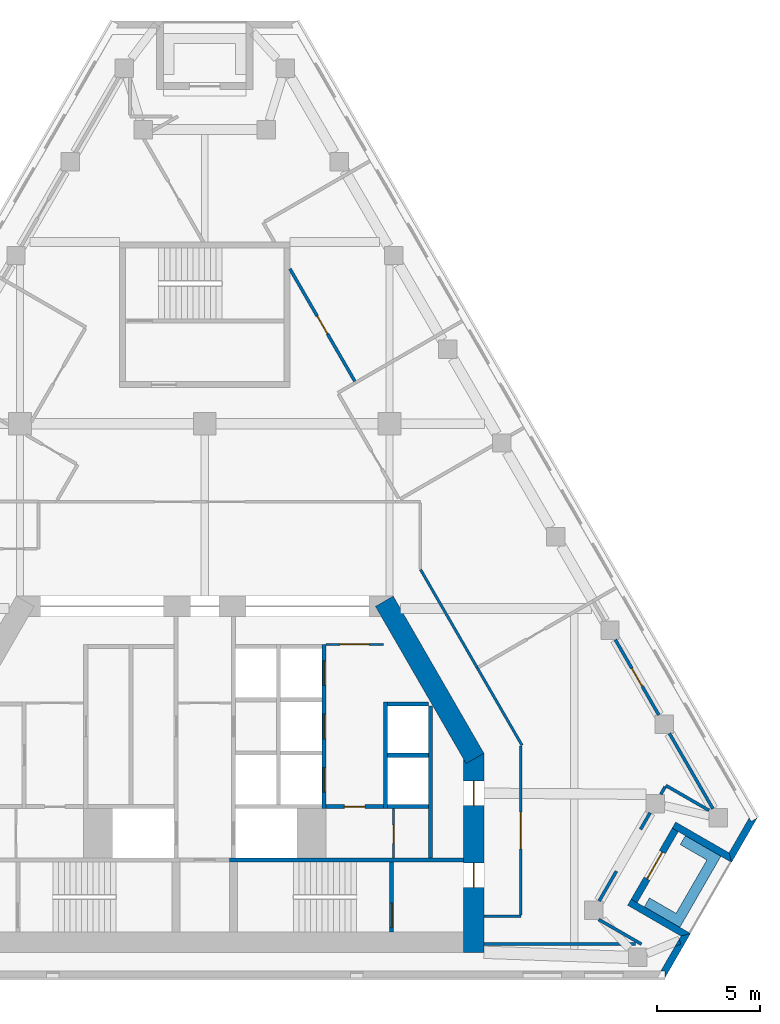
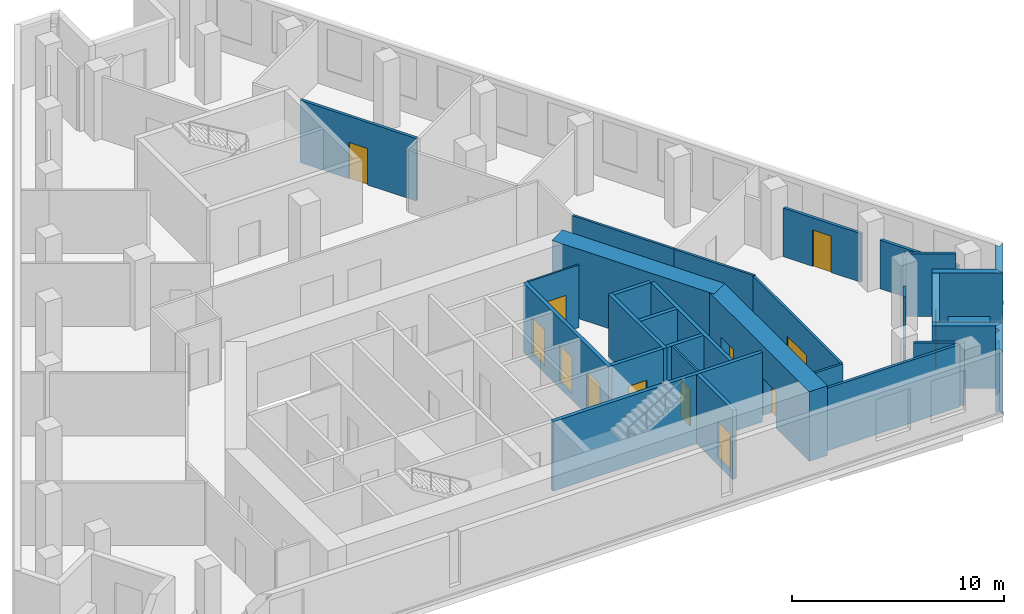
# One storey, part 5 of 8: 33 walls, 13 doors, 13 openings.
"""IFC4 building model written with IfcOpenShell, lengths in metres."""

from ifc_helpers import new_model, si_unit, direction, frame, frame_2d, origin, place, context, subcontext, project, spatial, polyline, rectangle, outline, extrude, material, layer, layer_set, type_object, element, fill, save


model = new_model("IFC4")

# Units and contexts
model_context = context("Model", 3, precision=1e-05, world=origin(), true_north=direction((0.0, 1.0)))
body_context = subcontext(model_context, "Body", "Model", "MODEL_VIEW")
ifc_project = project(units=[si_unit("LENGTHUNIT", "METRE"), si_unit("AREAUNIT", "SQUARE_METRE"), si_unit("VOLUMEUNIT", "CUBIC_METRE"), si_unit("PLANEANGLEUNIT", "RADIAN"), si_unit("MASSUNIT", "GRAM", prefix="KILO")], contexts=[model_context])

# Site, building, storey
site_placement = place(None, origin())
site = spatial("IfcSite", under=ifc_project, at=site_placement, CompositionType="ELEMENT")
building_placement = place(site_placement, origin())
building = spatial("IfcBuilding", under=site, at=building_placement, Name="Fogline Exchange Tower", CompositionType="ELEMENT")
storey_placement = place(building_placement, frame((0.0, 0.0, 231.5)))
storey = spatial("IfcBuildingStorey", under=building, at=storey_placement, Name="L52", CompositionType="ELEMENT", Elevation=231.5)

# Wall, opening, door
ifc_material_1 = material(Name="Blockwork partition", Category="masonry")
ifc_layer_1 = layer(ifc_material_1, 0.10009765625)
ifc_layer_set_1 = layer_set([ifc_layer_1], Name="CW10")
wall_type_1 = type_object("IfcWallType", Name="CW10", PredefinedType="PARTITIONING", material=ifc_layer_set_1)
wall_1_placement = place(storey_placement, frame((5.89990234375, 16.25, 0.0), z_axis=(0.0, 0.0, 1.0), x_axis=(1.0, 0.0, 0.0)))
wall_1 = element("IfcWall", 1, at=wall_1_placement, inside=storey, type_object=wall_type_1, Name="Lift lobby partition", PredefinedType="PARTITIONING", context=body_context, shape_type="SweptSolid", body=[
    extrude(rectangle(XDim=2.800048828125, YDim=0.10009765625, at=frame_2d((1.39990234375, 0.0))), origin(), (0.0, 0.0, 1.0), 3.60009765625),
])
opening_1_placement = place(wall_1_placement, frame((0.699951171875, 0.0, 0.0)))
opening_1 = element("IfcOpeningElement", 2, at=opening_1_placement, cuts=wall_1, Name="Opening T16-C012", PredefinedType="OPENING", context=body_context, shape_type="SweptSolid", body=[
    extrude(rectangle(XDim=1.39990234375, YDim=2.10009765625, at=frame_2d((0.699951171875, 1.050048828125))), frame((0.0, 0.06005859375, 0.0), z_axis=(0.0, -1.0, 0.0), x_axis=(1.0, 0.0, 0.0)), (0.0, 0.0, 1.0), 0.1201171875),
])
ifc_material_2 = material(Name="Steel and timber fire door", Category="steel")
door_type_1 = type_object("IfcDoorType", Name="D-LB1", OperationType="DOUBLE_DOOR_SINGLE_SWING", PredefinedType="DOOR", material=ifc_material_2)
door_1_placement = place(opening_1_placement, origin())
door_1 = element("IfcDoor", 3, at=door_1_placement, inside=storey, type_object=door_type_1, Name="Door to lift lobby", OperationType="DOUBLE_DOOR_SINGLE_SWING", OverallHeight=2.10009765625, OverallWidth=1.39990234375, PredefinedType="DOOR", context=body_context, shape_type="SweptSolid", body=[
    extrude(rectangle(XDim=1.39990234375, YDim=2.10009765625, at=frame_2d((0.699951171875, 1.050048828125))), frame((0.0, 0.02490234375, 0.0), z_axis=(0.0, -1.0, 0.0), x_axis=(1.0, 0.0, 0.0)), (0.0, 0.0, 1.0), 0.050048828125),
])
fill(opening_1, door_1)

wall_2_placement = place(storey_placement, frame((9.199951171875, 5.85009765625, 0.0), z_axis=(0.0, 0.0, 1.0), x_axis=(0.0, 1.0, 0.0)))
wall_2 = element("IfcWall", 4, at=wall_2_placement, inside=storey, type_object=wall_type_1, Name="WC partition", PredefinedType="PARTITIONING", context=body_context, shape_type="SweptSolid", body=[
    extrude(rectangle(XDim=2.39990234375, YDim=0.10009765625, at=frame_2d((1.199951171875, 0.0))), origin(), (0.0, 0.0, 1.0), 3.60009765625),
])
opening_2_placement = place(wall_2_placement, frame((0.699951171875, 0.0, 0.0)))
opening_2 = element("IfcOpeningElement", 5, at=opening_2_placement, cuts=wall_2, Name="Opening T16-C014", PredefinedType="OPENING", context=body_context, shape_type="SweptSolid", body=[
    extrude(rectangle(XDim=0.89990234375, YDim=2.10009765625, at=frame_2d((0.449951171875, 1.050048828125))), frame((0.0, 0.06005859375, 0.0), z_axis=(0.0, -1.0, 0.0), x_axis=(1.0, 0.0, 0.0)), (0.0, 0.0, 1.0), 0.1201171875),
])
door_type_2 = type_object("IfcDoorType", Name="D-CS1", OperationType="SINGLE_SWING_RIGHT", PredefinedType="DOOR", material=ifc_material_2)
door_2_placement = place(opening_2_placement, frame((0.89990234375, 0.0, 0.0), z_axis=(0.0, 0.0, 1.0), x_axis=(-1.0, 0.0, 0.0)))
door_2 = element("IfcDoor", 6, at=door_2_placement, inside=storey, type_object=door_type_2, Name="Door to Cleaner's Store", OperationType="SINGLE_SWING_RIGHT", OverallHeight=2.10009765625, OverallWidth=0.89990234375, PredefinedType="DOOR", context=body_context, shape_type="SweptSolid", body=[
    extrude(rectangle(XDim=0.89990234375, YDim=2.10009765625, at=frame_2d((0.449951171875, 1.050048828125))), frame((0.0, 0.02490234375, 0.0), z_axis=(0.0, -1.0, 0.0), x_axis=(1.0, 0.0, 0.0)), (0.0, 0.0, 1.0), 0.050048828125),
])
fill(opening_2, door_2)

# Wall
ifc_material_3 = material(Name="Concrete C40", Category="concrete")
ifc_layer_2 = layer(ifc_material_3, 0.199951171875)
ifc_layer_set_2 = layer_set([ifc_layer_2], Name="CW20")
wall_type_2 = type_object("IfcWallType", Name="CW20", PredefinedType="SOLIDWALL", material=ifc_layer_set_2)
wall_3_placement = place(storey_placement, frame((11.0, 5.85009765625, 0.0), z_axis=(0.0, 0.0, 1.0), x_axis=(0.0, 1.0, 0.0)))
element("IfcWall", 7, at=wall_3_placement, inside=storey, type_object=wall_type_2, Name="Service room wall", PredefinedType="SOLIDWALL", context=body_context, shape_type="SweptSolid", body=[
    extrude(rectangle(XDim=7.39990234375, YDim=0.199951171875, at=frame_2d((3.699951171875, 0.0))), origin(), (0.0, 0.0, 1.0), 3.60009765625),
])

# Wall, opening, door
wall_4_placement = place(storey_placement, frame((5.89990234375, 8.35009765625, 0.0), z_axis=(0.0, 0.0, 1.0), x_axis=(1.0, 0.0, 0.0)))
wall_4 = element("IfcWall", 8, at=wall_4_placement, inside=storey, type_object=wall_type_2, Name="WC wall", PredefinedType="SOLIDWALL", context=body_context, shape_type="SweptSolid", body=[
    extrude(rectangle(XDim=2.800048828125, YDim=0.199951171875, at=frame_2d((1.39990234375, 0.0))), origin(), (0.0, 0.0, 1.0), 3.60009765625),
])
opening_3_placement = place(wall_4_placement, frame((0.89990234375, 0.0, 0.0)))
opening_3 = element("IfcOpeningElement", 9, at=opening_3_placement, cuts=wall_4, Name="Opening T16-C013", PredefinedType="OPENING", context=body_context, shape_type="SweptSolid", body=[
    extrude(rectangle(XDim=1.0, YDim=2.10009765625, at=frame_2d((0.5, 1.050048828125))), frame((0.0, 0.10986328125, 0.0), z_axis=(0.0, -1.0, 0.0), x_axis=(1.0, 0.0, 0.0)), (0.0, 0.0, 1.0), 0.219970703125),
])
door_type_3 = type_object("IfcDoorType", Name="D-WC1", OperationType="SINGLE_SWING_LEFT", PredefinedType="DOOR", material=ifc_material_2)
door_3_placement = place(opening_3_placement, frame((1.0, 0.0, 0.0), z_axis=(0.0, 0.0, 1.0), x_axis=(-1.0, 0.0, 0.0)))
door_3 = element("IfcDoor", 10, at=door_3_placement, inside=storey, type_object=door_type_3, Name="Door to Women's WC", OperationType="SINGLE_SWING_LEFT", OverallHeight=2.10009765625, OverallWidth=1.0, PredefinedType="DOOR", context=body_context, shape_type="SweptSolid", body=[
    extrude(rectangle(XDim=1.0, YDim=2.10009765625, at=frame_2d((0.5, 1.050048828125))), frame((0.0, 0.02490234375, 0.0), z_axis=(0.0, -1.0, 0.0), x_axis=(1.0, 0.0, 0.0)), (0.0, 0.0, 1.0), 0.050048828125),
])
fill(opening_3, door_3)

# Wall
ifc_layer_3 = layer(ifc_material_3, 0.199951171875)
ifc_layer_set_3 = layer_set([ifc_layer_3], Name="CW20R")
wall_type_3 = type_object("IfcWallType", Name="CW20R", PredefinedType="SOLIDWALL", material=ifc_layer_set_3)
wall_5_placement = place(storey_placement, frame((1.199951171875, 5.75, -0.39990234375), z_axis=(0.0, 0.0, 1.0), x_axis=(1.0, 0.0, 0.0)))
element("IfcWall", 11, at=wall_5_placement, inside=storey, type_object=wall_type_3, Name="Stair enclosure wall", PredefinedType="SOLIDWALL", context=body_context, shape_type="SweptSolid", body=[
    extrude(rectangle(XDim=11.400146484375, YDim=0.199951171875, at=frame_2d((5.7001953125, 0.0))), origin(), (0.0, 0.0, 1.0), 4.0),
])

# Wall, opening, door
wall_6_placement = place(storey_placement, frame((9.10009765625, 2.25, -0.39990234375), z_axis=(0.0, 0.0, 1.0), x_axis=(0.0, 1.0, 0.0)))
wall_6 = element("IfcWall", 12, at=wall_6_placement, inside=storey, type_object=wall_type_3, Name="Stair enclosure wall", PredefinedType="SOLIDWALL", context=body_context, shape_type="SweptSolid", body=[
    extrude(rectangle(XDim=3.39990234375, YDim=0.199951171875, at=frame_2d((1.699951171875, 0.0))), origin(), (0.0, 0.0, 1.0), 4.0),
])
opening_4_placement = place(wall_6_placement, frame((0.199951171875, 0.0, 0.39990234375)))
opening_4 = element("IfcOpeningElement", 13, at=opening_4_placement, cuts=wall_6, Name="Opening T16-C016", PredefinedType="OPENING", context=body_context, shape_type="SweptSolid", body=[
    extrude(rectangle(XDim=1.199951171875, YDim=2.10009765625, at=frame_2d((0.60009765625, 1.050048828125))), frame((0.0, 0.10986328125, 0.0), z_axis=(0.0, -1.0, 0.0), x_axis=(1.0, 0.0, 0.0)), (0.0, 0.0, 1.0), 0.219970703125),
])
door_type_4 = type_object("IfcDoorType", Name="D-ST1", OperationType="SINGLE_SWING_LEFT", PredefinedType="DOOR", material=ifc_material_2)
door_4_placement = place(opening_4_placement, origin())
door_4 = element("IfcDoor", 14, at=door_4_placement, inside=storey, type_object=door_type_4, Name="Stair door ST2", OperationType="SINGLE_SWING_LEFT", OverallHeight=2.10009765625, OverallWidth=1.199951171875, PredefinedType="DOOR", context=body_context, shape_type="SweptSolid", body=[
    extrude(rectangle(XDim=1.199951171875, YDim=2.10009765625, at=frame_2d((0.60009765625, 1.050048828125))), frame((0.0, 0.02490234375, 0.0), z_axis=(0.0, -1.0, 0.0), x_axis=(1.0, 0.0, 0.0)), (0.0, 0.0, 1.0), 0.050048828125),
])
fill(opening_4, door_4)

# Wall
ifc_layer_4 = layer(ifc_material_3, 0.199951171875)
ifc_layer_set_4 = layer_set([ifc_layer_4], Name="CW20S")
wall_type_4 = type_object("IfcWallType", Name="CW20S", PredefinedType="SOLIDWALL", material=ifc_layer_set_4)
wall_7_placement = place(storey_placement, frame((8.800048828125, 8.25, -0.39990234375), z_axis=(0.0, 0.0, 1.0), x_axis=(0.0, 1.0, 0.0)))
element("IfcWall", 15, at=wall_7_placement, inside=storey, type_object=wall_type_4, Name="Lift shaft wall", PredefinedType="SOLIDWALL", context=body_context, shape_type="SweptSolid", body=[
    extrude(rectangle(XDim=5.199951171875, YDim=0.199951171875, at=frame_2d((2.60009765625, 0.0))), origin(), (0.0, 0.0, 1.0), 4.0),
])

# Wall, openings, doors
wall_8_placement = place(storey_placement, frame((5.800048828125, 8.25, -0.39990234375), z_axis=(0.0, 0.0, 1.0), x_axis=(0.0, 1.0, 0.0)))
wall_8 = element("IfcWall", 16, at=wall_8_placement, inside=storey, type_object=wall_type_4, Name="Lift shaft wall", PredefinedType="SOLIDWALL", context=body_context, shape_type="SweptSolid", body=[
    extrude(rectangle(XDim=8.0, YDim=0.199951171875, at=frame_2d((4.0, 0.0))), origin(), (0.0, 0.0, 1.0), 4.0),
])
opening_5_placement = place(wall_8_placement, frame((0.800048828125, 0.0, 0.39990234375)))
opening_5 = element("IfcOpeningElement", 17, at=opening_5_placement, cuts=wall_8, Name="Opening T16-LD02", PredefinedType="OPENING", context=body_context, shape_type="SweptSolid", body=[
    extrude(rectangle(XDim=1.199951171875, YDim=2.10009765625, at=frame_2d((0.60009765625, 1.050048828125))), frame((0.0, 0.10986328125, 0.0), z_axis=(0.0, -1.0, 0.0), x_axis=(1.0, 0.0, 0.0)), (0.0, 0.0, 1.0), 0.219970703125),
])
opening_6_placement = place(wall_8_placement, frame((3.39990234375, 0.0, 0.39990234375)))
opening_6 = element("IfcOpeningElement", 18, at=opening_6_placement, cuts=wall_8, Name="Opening T16-LD03", PredefinedType="OPENING", context=body_context, shape_type="SweptSolid", body=[
    extrude(rectangle(XDim=1.199951171875, YDim=2.10009765625, at=frame_2d((0.60009765625, 1.050048828125))), frame((0.0, 0.10986328125, 0.0), z_axis=(0.0, -1.0, 0.0), x_axis=(1.0, 0.0, 0.0)), (0.0, 0.0, 1.0), 0.219970703125),
])
opening_7_placement = place(wall_8_placement, frame((6.0, 0.0, 0.39990234375)))
opening_7 = element("IfcOpeningElement", 19, at=opening_7_placement, cuts=wall_8, Name="Opening T16-LD04", PredefinedType="OPENING", context=body_context, shape_type="SweptSolid", body=[
    extrude(rectangle(XDim=1.199951171875, YDim=2.10009765625, at=frame_2d((0.60009765625, 1.050048828125))), frame((0.0, 0.10986328125, 0.0), z_axis=(0.0, -1.0, 0.0), x_axis=(1.0, 0.0, 0.0)), (0.0, 0.0, 1.0), 0.219970703125),
])
door_type_5 = type_object("IfcDoorType", Name="LD1", OperationType="SLIDING_TO_LEFT", PredefinedType="DOOR", material=ifc_material_2)
door_5_placement = place(opening_5_placement, origin())
door_5 = element("IfcDoor", 20, at=door_5_placement, inside=storey, type_object=door_type_5, Name="Landing door MR1", OperationType="SLIDING_TO_LEFT", OverallHeight=2.10009765625, OverallWidth=1.199951171875, PredefinedType="DOOR", context=body_context, shape_type="SweptSolid", body=[
    extrude(rectangle(XDim=1.199951171875, YDim=2.10009765625, at=frame_2d((0.60009765625, 1.050048828125))), frame((0.0, 0.02490234375, 0.0), z_axis=(0.0, -1.0, 0.0), x_axis=(1.0, 0.0, 0.0)), (0.0, 0.0, 1.0), 0.050048828125),
])
fill(opening_5, door_5)
door_6_placement = place(opening_6_placement, origin())
door_6 = element("IfcDoor", 21, at=door_6_placement, inside=storey, type_object=door_type_5, Name="Landing door MR2", OperationType="SLIDING_TO_LEFT", OverallHeight=2.10009765625, OverallWidth=1.199951171875, PredefinedType="DOOR", context=body_context, shape_type="SweptSolid", body=[
    extrude(rectangle(XDim=1.199951171875, YDim=2.10009765625, at=frame_2d((0.60009765625, 1.050048828125))), frame((0.0, 0.02490234375, 0.0), z_axis=(0.0, -1.0, 0.0), x_axis=(1.0, 0.0, 0.0)), (0.0, 0.0, 1.0), 0.050048828125),
])
fill(opening_6, door_6)
door_7_placement = place(opening_7_placement, origin())
door_7 = element("IfcDoor", 22, at=door_7_placement, inside=storey, type_object=door_type_5, Name="Landing door MR3", OperationType="SLIDING_TO_LEFT", OverallHeight=2.10009765625, OverallWidth=1.199951171875, PredefinedType="DOOR", context=body_context, shape_type="SweptSolid", body=[
    extrude(rectangle(XDim=1.199951171875, YDim=2.10009765625, at=frame_2d((0.60009765625, 1.050048828125))), frame((0.0, 0.02490234375, 0.0), z_axis=(0.0, -1.0, 0.0), x_axis=(1.0, 0.0, 0.0)), (0.0, 0.0, 1.0), 0.050048828125),
])
fill(opening_7, door_7)

# Walls
for number, where, z_axis, x_axis, name in (
    (23, (8.89990234375, 8.35009765625, -0.39990234375), (0.0, 0.0, 1.0), (1.0, 0.0, 0.0), "Lift shaft wall"),
    (24, (8.89990234375, 10.85009765625, -0.39990234375), (0.0, 0.0, 1.0), (1.0, 0.0, 0.0), "Lift shaft wall"),
    (25, (8.89990234375, 13.35009765625, -0.39990234375), (0.0, 0.0, 1.0), (1.0, 0.0, 0.0), "Lift shaft wall"),
):
    element("IfcWall", number, at=place(storey_placement, frame(where, z_axis=z_axis, x_axis=x_axis)), inside=storey, type_object=wall_type_4, Name=name, PredefinedType="SOLIDWALL", context=body_context, shape_type="SweptSolid", body=[
        extrude(rectangle(XDim=2.0, YDim=0.199951171875, at=frame_2d((1.0, 0.0))), origin(), (0.0, 0.0, 1.0), 4.0),
    ])
ifc_material_4 = material(Name="Brick masonry", Category="masonry")
ifc_layer_5 = layer(ifc_material_4, 0.340087890625)
ifc_layer_set_5 = layer_set([ifc_layer_5], Name="FW1")
wall_type_5 = type_object("IfcWallType", Name="FW1", PredefinedType="SOLIDWALL", material=ifc_layer_set_5)
wall_9_placement = place(storey_placement, origin())
element("IfcWall", 26, at=wall_9_placement, inside=storey, type_object=wall_type_5, Name="Brick wall L52 SE-c1", PredefinedType="SOLIDWALL", context=body_context, shape_type="SweptSolid", body=[
    extrude(outline(polyline([(23.1044921875, 1.877197265625), (23.19775390625, 1.65087890625), (22.904052734375, 1.530029296875), (23.1044921875, 1.877197265625)])), origin(), (0.0, 0.0, 1.0), 3.0),
])
wall_10_placement = place(storey_placement, origin())
element("IfcWall", 27, at=wall_10_placement, inside=storey, type_object=wall_type_5, Name="Brick wall L52 SE-c1", PredefinedType="SOLIDWALL", context=body_context, shape_type="SweptSolid", body=[
    extrude(outline(polyline([(22.4140625, -0.001220703125), (22.41357421875, -0.0009765625), (22.41357421875, 0.33935546875), (22.216796875, 0.33935546875), (22.904052734375, 1.530029296875), (23.19775390625, 1.65087890625), (23.1044921875, 1.877197265625), (23.19921875, 2.041015625), (23.6650390625, 2.166015625), (23.665283203125, 2.165771484375), (22.4140625, -0.001220703125)])), origin(), (0.0, 0.0, 1.0), 3.60009765625),
])
wall_11_placement = place(storey_placement, origin())
element("IfcWall", 28, at=wall_11_placement, inside=storey, type_object=wall_type_5, Name="Brick wall L52 SE-s1", PredefinedType="SOLIDWALL", context=body_context, shape_type="SweptSolid", body=[
    extrude(outline(polyline([(20.600830078125, 3.540283203125), (20.771484375, 3.8359375), (21.06640625, 3.66552734375), (23.665283203125, 2.1650390625), (23.665283203125, 2.164794921875), (23.19970703125, 2.0400390625), (20.600830078125, 3.540283203125)])), origin(), (0.0, 0.0, 1.0), 3.60009765625),
])

# Wall, opening, door
wall_12_placement = place(storey_placement, frame((20.9189453125, 3.75, 0.0), z_axis=(0.0, 0.0, 1.0), x_axis=(0.49999894854, 0.866026010844, 0.0)))
wall_12 = element("IfcWall", 29, at=wall_12_placement, inside=storey, type_object=wall_type_5, Name="Brick wall L52 SE-bk", PredefinedType="SOLIDWALL", context=body_context, shape_type="SweptSolid", body=[
    extrude(rectangle(XDim=4.0, YDim=0.340087890625, at=frame_2d((2.0, 0.0))), origin(), (0.0, 0.0, 1.0), 3.60009765625),
])
opening_8_placement = place(wall_12_placement, frame((1.25, 0.0, 0.0)))
opening_8 = element("IfcOpeningElement", 30, at=opening_8_placement, cuts=wall_12, Name="Opening T16-E081", PredefinedType="OPENING", context=body_context, shape_type="SweptSolid", body=[
    extrude(rectangle(XDim=1.5, YDim=2.39990234375, at=frame_2d((0.75, 1.199951171875))), frame((0.0, 0.18017578125, 0.0), z_axis=(0.0, -1.0, 0.0), x_axis=(1.0, 0.0, 0.0)), (0.0, 0.0, 1.0), 0.360107421875),
])
ifc_material_5 = material(Name="Aluminium and glass", Category="aluminium")
door_type_6 = type_object("IfcDoorType", Name="ED4", OperationType="SINGLE_SWING_LEFT", PredefinedType="DOOR", material=ifc_material_5)
door_8_placement = place(opening_8_placement, frame((1.5, 0.0, 0.0), z_axis=(0.0, 0.0, 1.0), x_axis=(-1.0, 0.0, 0.0)))
door_8 = element("IfcDoor", 31, at=door_8_placement, inside=storey, type_object=door_type_6, Name="Balcony door L52 SE", OperationType="DOUBLE_DOOR_SINGLE_SWING", OverallHeight=2.39990234375, OverallWidth=1.5, PredefinedType="DOOR", context=body_context, shape_type="SweptSolid", body=[
    extrude(rectangle(XDim=1.5, YDim=2.39990234375, at=frame_2d((0.75, 1.199951171875))), frame((0.0, 0.02490234375, 0.0), z_axis=(0.0, -1.0, 0.0), x_axis=(1.0, 0.0, 0.0)), (0.0, 0.0, 1.0), 0.050048828125),
])
fill(opening_8, door_8)

# Walls
wall_13_placement = place(storey_placement, origin())
element("IfcWall", 32, at=wall_13_placement, inside=storey, type_object=wall_type_5, Name="Brick wall L52 SE-s2", PredefinedType="SOLIDWALL", context=body_context, shape_type="SweptSolid", body=[
    extrude(outline(polyline([(25.664794921875, 5.628173828125), (23.065673828125, 7.128662109375), (22.770751953125, 7.298828125), (22.94140625, 7.594482421875), (25.540283203125, 6.093994140625), (25.6650390625, 5.62841796875), (25.664794921875, 5.628173828125)])), origin(), (0.0, 0.0, 1.0), 3.60009765625),
])
wall_14_placement = place(storey_placement, origin())
element("IfcWall", 33, at=wall_14_placement, inside=storey, type_object=wall_type_5, Name="Brick wall L52 SE-c2", PredefinedType="SOLIDWALL", context=body_context, shape_type="SweptSolid", body=[
    extrude(outline(polyline([(26.521484375, 7.79541015625), (26.619873046875, 7.625), (26.914794921875, 7.79541015625), (26.915283203125, 7.794921875), (25.6640625, 5.6279296875), (25.663818359375, 5.6279296875), (25.5390625, 6.09375), (26.521484375, 7.79541015625)])), origin(), (0.0, 0.0, 1.0), 3.60009765625),
])
ifc_material_6 = material(Name="Concrete C30", Category="concrete")
ifc_layer_6 = layer(ifc_material_6, 0.199951171875)
ifc_layer_set_6 = layer_set([ifc_layer_6], Name="PL1")
wall_type_6 = type_object("IfcWallType", Name="PL1", PredefinedType="USERDEFINED", material=ifc_layer_set_6)
wall_15_placement = place(storey_placement, origin())
element("IfcWall", 34, at=wall_15_placement, inside=storey, type_object=wall_type_6, Name="PLANTER balcony L52 SE", ObjectType="PLANTER", PredefinedType="USERDEFINED", context=body_context, shape_type="SweptSolid", body=[
    extrude(outline(polyline([(21.41259765625, 3.465087890625), (22.71142578125, 2.715087890625), (22.71142578125, 2.715087890625), (23.14453125, 2.465087890625), (24.89453125, 5.49609375), (25.14453125, 5.92919921875), (23.41259765625, 6.92919921875), (23.16259765625, 6.49609375), (24.46142578125, 5.74609375), (22.96142578125, 3.148193359375), (21.66259765625, 3.898193359375), (21.41259765625, 3.465087890625)])), origin(), (0.0, 0.0, 1.0), 1.10009765625),
])
ifc_material_7 = material(Name="Plasterboard corridor partition with mineral wool, 2 layers each side")
ifc_layer_7 = layer(ifc_material_7, 0.125)
ifc_layer_set_7 = layer_set([ifc_layer_7], Name="PW2")
wall_type_7 = type_object("IfcWallType", Name="PW2", PredefinedType="PARTITIONING", material=ifc_layer_set_7)
wall_16_placement = place(storey_placement, frame((10.515380859375, 19.887939453125, 0.0), z_axis=(0.0, 0.0, 1.0), x_axis=(0.500018350302, -0.866014808974, 0.0)))
element("IfcWall", 35, at=wall_16_placement, inside=storey, type_object=wall_type_7, Name="wall-L52-W001", PredefinedType="PARTITIONING", context=body_context, shape_type="SweptSolid", body=[
    extrude(rectangle(XDim=5.523193359375, YDim=0.125, at=frame_2d((2.76171875, 0.0))), origin(), (0.0, 0.0, 1.0), 3.60009765625),
])
wall_17_placement = place(storey_placement, frame((13.277099609375, 15.104736328125, 0.0), z_axis=(0.0, 0.0, 1.0), x_axis=(0.500010417683, -0.866019389049, 0.0)))
element("IfcWall", 36, at=wall_17_placement, inside=storey, type_object=wall_type_7, Name="wall-L52-W002", PredefinedType="PARTITIONING", context=body_context, shape_type="SweptSolid", body=[
    extrude(rectangle(XDim=4.3544921875, YDim=0.125, at=frame_2d((2.17724609375, 0.0))), origin(), (0.0, 0.0, 1.0), 3.60009765625),
])

# Wall, opening, door
wall_18_placement = place(storey_placement, frame((15.39990234375, 11.302734375, 0.0), z_axis=(0.0, 0.0, 1.0), x_axis=(0.0, -1.0, 0.0)))
wall_18 = element("IfcWall", 37, at=wall_18_placement, inside=storey, type_object=wall_type_7, Name="wall-L52-W003", PredefinedType="PARTITIONING", context=body_context, shape_type="SweptSolid", body=[
    extrude(rectangle(XDim=8.240234375, YDim=0.125, at=frame_2d((4.1201171875, 0.0))), origin(), (0.0, 0.0, 1.0), 3.60009765625),
])
opening_9_placement = place(wall_18_placement, frame((3.22021484375, 0.0, 0.0)))
opening_9 = element("IfcOpeningElement", 38, at=opening_9_placement, cuts=wall_18, Name="Opening T16-D001", PredefinedType="OPENING", context=body_context, shape_type="SweptSolid", body=[
    extrude(rectangle(XDim=1.800048828125, YDim=2.10009765625, at=frame_2d((0.89990234375, 1.050048828125))), frame((0.0, 0.072509765625, 0.0), z_axis=(0.0, -1.0, 0.0), x_axis=(1.0, 0.0, 0.0)), (0.0, 0.0, 1.0), 0.14501953125),
])
ifc_material_8 = material(Name="Fire-rated timber door leaves with steel frame", Category="steel")
door_type_7 = type_object("IfcDoorType", Name="D4", OperationType="DOUBLE_DOOR_SINGLE_SWING", PredefinedType="DOOR", material=ifc_material_8)
door_9_placement = place(opening_9_placement, frame((1.800048828125, 0.0, 0.0), z_axis=(0.0, 0.0, 1.0), x_axis=(-1.0, 0.0, 0.0)))
door_9 = element("IfcDoor", 39, at=door_9_placement, inside=storey, type_object=door_type_7, Name="door-L52-D001", OperationType="DOUBLE_DOOR_SINGLE_SWING", OverallHeight=2.10009765625, OverallWidth=1.800048828125, PredefinedType="DOOR", context=body_context, shape_type="SweptSolid", body=[
    extrude(rectangle(XDim=1.800048828125, YDim=2.10009765625, at=frame_2d((0.89990234375, 1.050048828125))), frame((0.0, 0.02490234375, 0.0), z_axis=(0.0, -1.0, 0.0), x_axis=(1.0, 0.0, 0.0)), (0.0, 0.0, 1.0), 0.050048828125),
])
fill(opening_9, door_9)

# Wall
wall_19_placement = place(storey_placement, frame((15.39990234375, 3.0, 0.0), z_axis=(0.0, 0.0, 1.0), x_axis=(-1.0, 0.0, 0.0)))
element("IfcWall", 40, at=wall_19_placement, inside=storey, type_object=wall_type_7, Name="wall-L52-W004", PredefinedType="PARTITIONING", context=body_context, shape_type="SweptSolid", body=[
    extrude(rectangle(XDim=1.7998046875, YDim=0.125, at=frame_2d((0.89990234375, 0.0))), origin(), (0.0, 0.0, 1.0), 3.60009765625),
])

# Wall, opening, door
ifc_material_9 = material(Name="Plasterboard demising partition with mineral wool and acoustic board")
ifc_layer_8 = layer(ifc_material_9, 0.14990234375)
ifc_layer_set_8 = layer_set([ifc_layer_8], Name="PW3")
wall_type_8 = type_object("IfcWallType", Name="PW3", PredefinedType="PARTITIONING", material=ifc_layer_set_8)
wall_20_placement = place(storey_placement, frame((7.311279296875, 29.0673828125, 0.0), z_axis=(0.0, 0.0, 1.0), x_axis=(-0.500005449195, 0.866022257668, 0.0)))
wall_20 = element("IfcWall", 41, at=wall_20_placement, inside=storey, type_object=wall_type_8, Name="wall-L52-W026", PredefinedType="PARTITIONING", context=body_context, shape_type="SweptSolid", body=[
    extrude(rectangle(XDim=6.32275390625, YDim=0.14990234375, at=frame_2d((3.161376953125, 0.0))), origin(), (0.0, 0.0, 1.0), 3.60009765625),
])
opening_10_placement = place(wall_20_placement, frame((2.661376953125, 0.0, 0.0)))
opening_10 = element("IfcOpeningElement", 42, at=opening_10_placement, cuts=wall_20, Name="Opening T16-D009", PredefinedType="OPENING", context=body_context, shape_type="SweptSolid", body=[
    extrude(rectangle(XDim=1.0, YDim=2.10009765625, at=frame_2d((0.5, 1.050048828125))), frame((0.0, 0.0849609375, 0.0), z_axis=(0.0, -1.0, 0.0), x_axis=(1.0, 0.0, 0.0)), (0.0, 0.0, 1.0), 0.169921875),
])
ifc_material_10 = material(Name="Fire-rated timber door leaf with steel frame", Category="steel")
door_type_8 = type_object("IfcDoorType", Name="D3", OperationType="SINGLE_SWING_LEFT", PredefinedType="DOOR", material=ifc_material_10)
door_10_placement = place(opening_10_placement, frame((1.0, 0.0, 0.0), z_axis=(0.0, 0.0, 1.0), x_axis=(-1.0, 0.0, 0.0)))
door_10 = element("IfcDoor", 43, at=door_10_placement, inside=storey, type_object=door_type_8, Name="door-L52-D009", OperationType="SINGLE_SWING_RIGHT", OverallHeight=2.10009765625, OverallWidth=1.0, PredefinedType="DOOR", context=body_context, shape_type="SweptSolid", body=[
    extrude(rectangle(XDim=1.0, YDim=2.10009765625, at=frame_2d((0.5, 1.050048828125))), frame((0.0, 0.02490234375, 0.0), z_axis=(0.0, -1.0, 0.0), x_axis=(1.0, 0.0, 0.0)), (0.0, 0.0, 1.0), 0.050048828125),
])
fill(opening_10, door_10)

# Walls
wall_21_placement = place(storey_placement, frame((13.60009765625, 1.64501953125, 0.0), z_axis=(0.0, 0.0, 1.0), x_axis=(1.0, 0.0, 0.0)))
element("IfcWall", 44, at=wall_21_placement, inside=storey, type_object=wall_type_8, Name="wall-L52-W045", PredefinedType="PARTITIONING", context=body_context, shape_type="SweptSolid", body=[
    extrude(rectangle(XDim=7.39453125, YDim=0.14990234375, at=frame_2d((3.697265625, 0.0))), origin(), (0.0, 0.0, 1.0), 3.60009765625),
])
wall_22_placement = place(storey_placement, frame((21.27490234375, 1.64501953125, 0.0), z_axis=(0.0, 0.0, 1.0), x_axis=(-0.866013374876, 0.500020834101, 0.0)))
element("IfcWall", 45, at=wall_22_placement, inside=storey, type_object=wall_type_8, Name="wall-L52-W046", PredefinedType="PARTITIONING", context=body_context, shape_type="SweptSolid", body=[
    extrude(rectangle(XDim=2.408203125, YDim=0.14990234375, at=frame_2d((1.2041015625, 0.0))), origin(), (0.0, 0.0, 1.0), 3.60009765625),
])
wall_23_placement = place(storey_placement, frame((19.215087890625, 3.7490234375, 0.0), z_axis=(0.0, 0.0, 1.0), x_axis=(0.499957569697, 0.866049899545, 0.0)))
element("IfcWall", 46, at=wall_23_placement, inside=storey, type_object=wall_type_8, Name="wall-L52-W047", PredefinedType="PARTITIONING", context=body_context, shape_type="SweptSolid", body=[
    extrude(rectangle(XDim=1.677978515625, YDim=0.14990234375, at=frame_2d((0.8388671875, 0.0))), origin(), (0.0, 0.0, 1.0), 2.800048828125),
])
wall_24_placement = place(storey_placement, frame((21.22900390625, 7.2373046875, 0.0), z_axis=(0.0, 0.0, 1.0), x_axis=(0.499911261671, 0.866076630821, 0.0)))
element("IfcWall", 47, at=wall_24_placement, inside=storey, type_object=wall_type_8, Name="wall-L52-W048", PredefinedType="PARTITIONING", context=body_context, shape_type="SweptSolid", body=[
    extrude(rectangle(XDim=0.932861328125, YDim=0.14990234375, at=frame_2d((0.46630859375, 0.0))), origin(), (0.0, 0.0, 1.0), 2.800048828125),
])
wall_25_placement = place(storey_placement, frame((22.215087890625, 8.9453125, 0.0), z_axis=(0.0, 0.0, 1.0), x_axis=(0.500239102084, 0.865887314115, 0.0)))
element("IfcWall", 48, at=wall_25_placement, inside=storey, type_object=wall_type_8, Name="wall-L52-W049", PredefinedType="PARTITIONING", context=body_context, shape_type="SweptSolid", body=[
    extrude(rectangle(XDim=0.422607421875, YDim=0.14990234375, at=frame_2d((0.21142578125, 0.0))), origin(), (0.0, 0.0, 1.0), 3.60009765625),
])
wall_26_placement = place(storey_placement, frame((22.4638671875, 9.376220703125, 0.0), z_axis=(0.0, 0.0, 1.0), x_axis=(0.866029721018, -0.499992522257, 0.0)))
element("IfcWall", 49, at=wall_26_placement, inside=storey, type_object=wall_type_8, Name="wall-L52-W050", PredefinedType="PARTITIONING", context=body_context, shape_type="SweptSolid", body=[
    extrude(rectangle(XDim=2.42578125, YDim=0.14990234375, at=frame_2d((1.212890625, 0.0))), origin(), (0.0, 0.0, 1.0), 3.60009765625),
])
wall_27_placement = place(storey_placement, frame((24.7548828125, 8.244140625, 0.0), z_axis=(0.0, 0.0, 1.0), x_axis=(-0.499990325971, 0.866030989016, 0.0)))
element("IfcWall", 50, at=wall_27_placement, inside=storey, type_object=wall_type_8, Name="wall-L52-W051", PredefinedType="PARTITIONING", context=body_context, shape_type="SweptSolid", body=[
    extrude(rectangle(XDim=4.23388671875, YDim=0.14990234375, at=frame_2d((2.116943359375, 0.0))), origin(), (0.0, 0.0, 1.0), 2.800048828125),
])

# Wall, opening, door
wall_28_placement = place(storey_placement, frame((22.118408203125, 12.810791015625, 0.0), z_axis=(0.0, 0.0, 1.0), x_axis=(-0.500015295222, 0.866016572904, 0.0)))
wall_28 = element("IfcWall", 51, at=wall_28_placement, inside=storey, type_object=wall_type_8, Name="wall-L52-W052", PredefinedType="PARTITIONING", context=body_context, shape_type="SweptSolid", body=[
    extrude(rectangle(XDim=4.233642578125, YDim=0.14990234375, at=frame_2d((2.11669921875, 0.0))), origin(), (0.0, 0.0, 1.0), 2.800048828125),
])
opening_11_placement = place(wall_28_placement, frame((1.616943359375, 0.0, 0.0)))
opening_11 = element("IfcOpeningElement", 52, at=opening_11_placement, cuts=wall_28, Name="Opening T16-D014", PredefinedType="OPENING", context=body_context, shape_type="SweptSolid", body=[
    extrude(rectangle(XDim=1.0, YDim=2.10009765625, at=frame_2d((0.5, 1.050048828125))), frame((0.0, 0.0849609375, 0.0), z_axis=(0.0, -1.0, 0.0), x_axis=(1.0, 0.0, 0.0)), (0.0, 0.0, 1.0), 0.169921875),
])
door_11_placement = place(opening_11_placement, frame((1.0, 0.0, 0.0), z_axis=(0.0, 0.0, 1.0), x_axis=(-1.0, 0.0, 0.0)))
door_11 = element("IfcDoor", 53, at=door_11_placement, inside=storey, type_object=door_type_8, Name="door-L52-D014", OperationType="SINGLE_SWING_LEFT", OverallHeight=2.10009765625, OverallWidth=1.0, PredefinedType="DOOR", context=body_context, shape_type="SweptSolid", body=[
    extrude(rectangle(XDim=1.0, YDim=2.10009765625, at=frame_2d((0.5, 1.050048828125))), frame((0.0, 0.02490234375, 0.0), z_axis=(0.0, -1.0, 0.0), x_axis=(1.0, 0.0, 0.0)), (0.0, 0.0, 1.0), 0.050048828125),
])
fill(opening_11, door_11)

# Wall, openings, doors
ifc_material_11 = material(Name="Concrete C60", Category="concrete")
ifc_layer_9 = layer(ifc_material_11, 1.0)
ifc_layer_set_9 = layer_set([ifc_layer_9], Name="SW03")
wall_type_9 = type_object("IfcWallType", Name="SW03", PredefinedType="SHEAR", material=ifc_layer_set_9)
wall_29_placement = place(storey_placement, frame((13.10009765625, 1.25, 0.0), z_axis=(0.0, 0.0, 1.0), x_axis=(0.0, 1.0, 0.0)))
wall_29 = element("IfcWall", 54, at=wall_29_placement, inside=storey, type_object=wall_type_9, Name="L52-W902", PredefinedType="SHEAR", context=body_context, shape_type="SweptSolid", body=[
    extrude(rectangle(XDim=9.6953125, YDim=1.0, at=frame_2d((4.84765625, 0.0))), origin(), (0.0, 0.0, 1.0), 4.0),
])
opening_12_placement = place(wall_29_placement, frame((3.14990234375, 0.0, 0.0)))
opening_12 = element("IfcOpeningElement", 55, at=opening_12_placement, cuts=wall_29, Name="Opening T16-C015", PredefinedType="OPENING", context=body_context, shape_type="SweptSolid", body=[
    extrude(rectangle(XDim=1.199951171875, YDim=2.10009765625, at=frame_2d((0.60009765625, 1.050048828125))), frame((0.0, 0.510009765625, 0.0), z_axis=(0.0, -1.0, 0.0), x_axis=(1.0, 0.0, 0.0)), (0.0, 0.0, 1.0), 1.02001953125),
])
opening_13_placement = place(wall_29_placement, frame((7.14990234375, 0.0, 0.0)))
opening_13 = element("IfcOpeningElement", 56, at=opening_13_placement, cuts=wall_29, Name="Opening T16-C017", PredefinedType="OPENING", context=body_context, shape_type="SweptSolid", body=[
    extrude(rectangle(XDim=1.199951171875, YDim=2.10009765625, at=frame_2d((0.60009765625, 1.050048828125))), frame((0.0, 0.510009765625, 0.0), z_axis=(0.0, -1.0, 0.0), x_axis=(1.0, 0.0, 0.0)), (0.0, 0.0, 1.0), 1.02001953125),
])
door_type_9 = type_object("IfcDoorType", Name="D-FR1", OperationType="SINGLE_SWING_RIGHT", PredefinedType="DOOR", material=ifc_material_2)
door_12_placement = place(opening_12_placement, origin())
door_12 = element("IfcDoor", 57, at=door_12_placement, inside=storey, type_object=door_type_9, Name="Front room door ST2", OperationType="SINGLE_SWING_RIGHT", OverallHeight=2.10009765625, OverallWidth=1.199951171875, PredefinedType="DOOR", context=body_context, shape_type="SweptSolid", body=[
    extrude(rectangle(XDim=1.199951171875, YDim=2.10009765625, at=frame_2d((0.60009765625, 1.050048828125))), frame((0.0, 0.02490234375, 0.0), z_axis=(0.0, -1.0, 0.0), x_axis=(1.0, 0.0, 0.0)), (0.0, 0.0, 1.0), 0.050048828125),
])
fill(opening_12, door_12)
door_type_10 = type_object("IfcDoorType", Name="D-SV1", OperationType="SINGLE_SWING_LEFT", PredefinedType="DOOR", material=ifc_material_2)
door_13_placement = place(opening_13_placement, origin())
door_13 = element("IfcDoor", 58, at=door_13_placement, inside=storey, type_object=door_type_10, Name="Service door E", OperationType="SINGLE_SWING_RIGHT", OverallHeight=2.10009765625, OverallWidth=1.199951171875, PredefinedType="DOOR", context=body_context, shape_type="SweptSolid", body=[
    extrude(rectangle(XDim=1.199951171875, YDim=2.10009765625, at=frame_2d((0.60009765625, 1.050048828125))), frame((0.0, 0.02490234375, 0.0), z_axis=(0.0, -1.0, 0.0), x_axis=(1.0, 0.0, 0.0)), (0.0, 0.0, 1.0), 0.050048828125),
])
fill(opening_13, door_13)

# Wall
wall_30_placement = place(storey_placement, frame((13.1669921875, 10.6953125, 0.0), z_axis=(0.0, 0.0, 1.0), x_axis=(-0.499995021168, 0.866028278295, 0.0)))
element("IfcWall", 59, at=wall_30_placement, inside=storey, type_object=wall_type_9, Name="L52-W903", PredefinedType="SHEAR", context=body_context, shape_type="SweptSolid", body=[
    extrude(rectangle(XDim=8.8388671875, YDim=1.0, at=frame_2d((4.41943359375, 0.0))), origin(), (0.0, 0.0, 1.0), 4.0),
])

save(model, "model.ifc")
